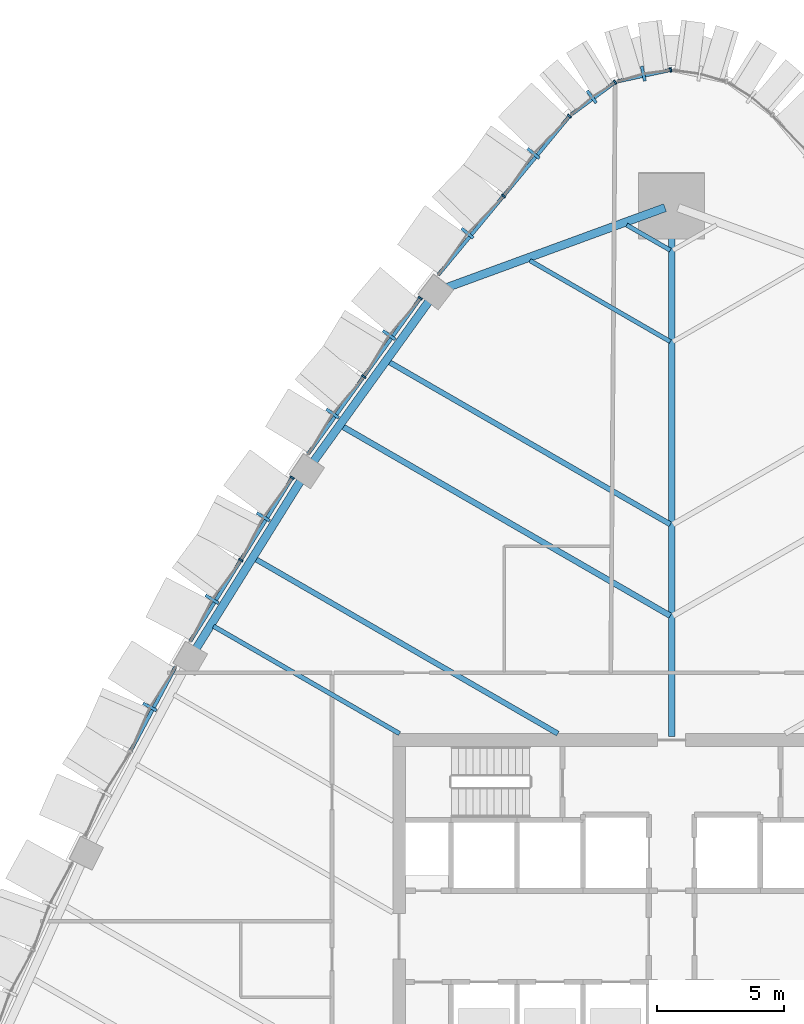
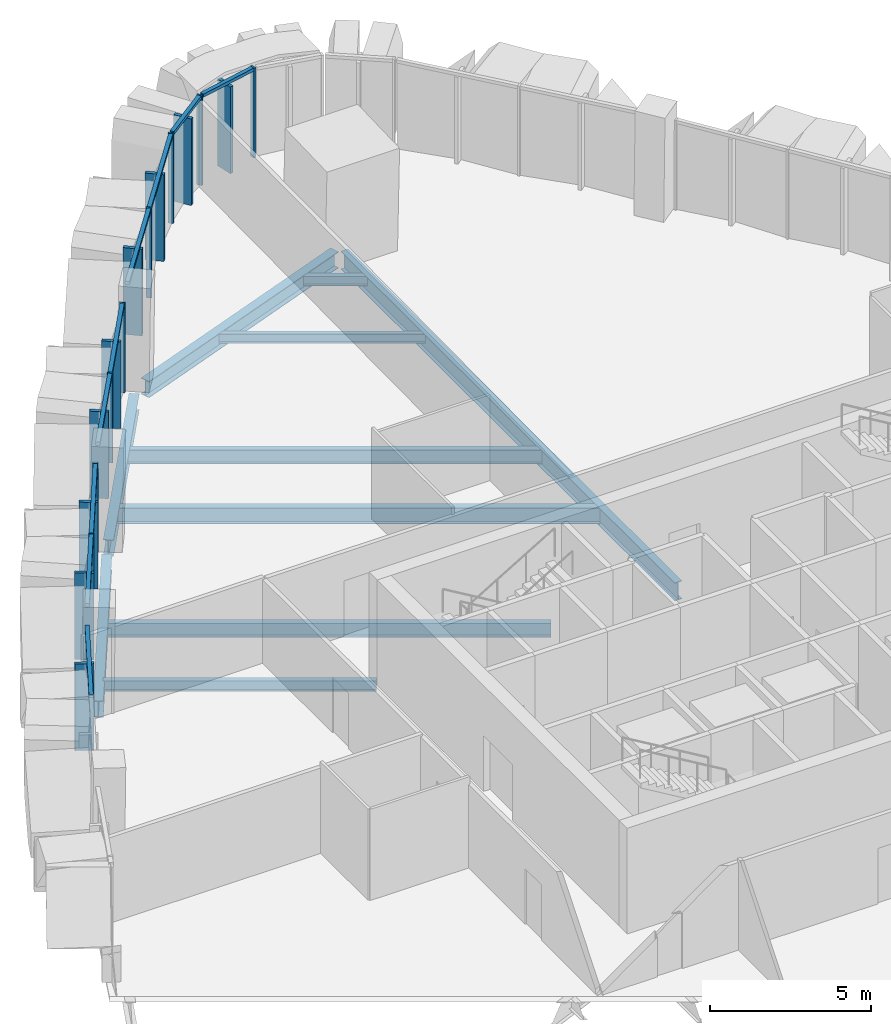
# One storey, part 6 of 18: 26 members, 10 beams, 6 elements without a shape of their own.
"""IFC4 building model written with IfcOpenShell, lengths in metres."""

from ifc_helpers import new_model, si_unit, direction, frame, origin, origin_2d, place, context, subcontext, project, spatial, rectangle, i_section, extrude, material, layer, layer_set, material_profile, profile_set, type_object, element, aggregate, save


model = new_model("IFC4")

# Units and contexts
model_context = context("Model", 3, precision=1e-05, world=origin(), true_north=direction((0.0, 1.0)))
body_context = subcontext(model_context, "Body", "Model", "MODEL_VIEW")
ifc_project = project(units=[si_unit("LENGTHUNIT", "METRE"), si_unit("AREAUNIT", "SQUARE_METRE"), si_unit("VOLUMEUNIT", "CUBIC_METRE"), si_unit("PLANEANGLEUNIT", "RADIAN"), si_unit("MASSUNIT", "GRAM", prefix="KILO")], contexts=[model_context])

# Site, building, storey
site_placement = place(None, origin())
site = spatial("IfcSite", under=ifc_project, at=site_placement, CompositionType="ELEMENT")
building_placement = place(site_placement, origin())
building = spatial("IfcBuilding", under=site, at=building_placement, Name="Sierra Prisma Convention Tower", CompositionType="ELEMENT")
storey_placement = place(building_placement, frame((0.0, 0.0, 129.800048828125)))
storey = spatial("IfcBuildingStorey", under=building, at=storey_placement, Name="L27", CompositionType="ELEMENT", Elevation=129.800048828125)

# Curtain wall, member
ifc_material_1 = material(Name="Aluminium and glass curtain wall", Category="aluminium")
ifc_layer = layer(ifc_material_1, 0.179931640625)
ifc_layer_set = layer_set([ifc_layer], Name="CW-2 Faceted crystal curtain wall")
curtain_wall_type = type_object("IfcCurtainWallType", Name="CW-2 Faceted crystal curtain wall", PredefinedType="NOTDEFINED", material=ifc_layer_set)
curtain_wall_1_placement = place(storey_placement, origin())
curtain_wall_1 = element("IfcCurtainWall", 1, at=curtain_wall_1_placement, inside=storey, type_object=curtain_wall_type, Name="CW-2 N3 L27", PredefinedType="NOTDEFINED")
ifc_material_2 = material(Name="Aluminium 6063-T6 bronze anodised", Category="aluminium")
ifc_material_profile_1 = material_profile(ifc_material_2, rectangle(XDim=0.1201171875, YDim=0.60009765625, at=origin_2d()), Name="ALU RIDGE BLADE 120x600")
ifc_profile_set_1 = profile_set([ifc_material_profile_1], Name="Aluminium 6063-T6 bronze anodised")
member_type_1 = type_object("IfcMemberType", Name="CW hip bronze", PredefinedType="MULLION", material=ifc_profile_set_1)
member_1_placement = place(storey_placement, frame((-1.115966796875, 34.043212890625, 0.0), z_axis=(0.0, 0.0, 1.0), x_axis=(-0.977692765089, -0.210040132101, 0.0)))
member_1 = element("IfcMember", 2, at=member_1_placement, type_object=member_type_1, Name="CW-2 ridge N3.1", PredefinedType="MULLION", context=body_context, shape_type="SweptSolid", body=[
    extrude(rectangle(XDim=0.1201171875, YDim=0.60009765625, at=origin_2d()), origin(), (0.0, 0.0, 1.0), 3.280029296875),
])

curtain_wall_2_placement = place(storey_placement, origin())
curtain_wall_2 = element("IfcCurtainWall", 3, at=curtain_wall_2_placement, inside=storey, type_object=curtain_wall_type, Name="CW-2 N4 L27", PredefinedType="NOTDEFINED")
member_2_placement = place(storey_placement, frame((-3.1513671875, 33.12646484375, 0.0), z_axis=(0.0, 0.0, 1.0), x_axis=(-0.805161837096, -0.593055154336, 0.0)))
member_2 = element("IfcMember", 4, at=member_2_placement, type_object=member_type_1, Name="CW-2 ridge N4.1", PredefinedType="MULLION", context=body_context, shape_type="SweptSolid", body=[
    extrude(rectangle(XDim=0.1201171875, YDim=0.60009765625, at=origin_2d()), origin(), (0.0, 0.0, 1.0), 3.280029296875),
])

# Curtain wall, members
curtain_wall_3_placement = place(storey_placement, origin())
curtain_wall_3 = element("IfcCurtainWall", 5, at=curtain_wall_3_placement, inside=storey, type_object=curtain_wall_type, Name="CW-2 NW1 L27", PredefinedType="NOTDEFINED")
member_3_placement = place(storey_placement, frame((-5.452392578125, 30.892822265625, 0.0), z_axis=(0.0, 0.0, 1.0), x_axis=(-0.637213096953, -0.770687659867, 0.0)))
member_3 = element("IfcMember", 6, at=member_3_placement, type_object=member_type_1, Name="CW-2 ridge NW1.1", PredefinedType="MULLION", context=body_context, shape_type="SweptSolid", body=[
    extrude(rectangle(XDim=0.1201171875, YDim=0.60009765625, at=origin_2d()), origin(), (0.0, 0.0, 1.0), 3.280029296875),
])
member_4_placement = place(storey_placement, frame((-8.0556640625, 27.744384765625, 0.0), z_axis=(0.0, 0.0, 1.0), x_axis=(-0.637213096953, -0.770687659867, 0.0)))
member_4 = element("IfcMember", 7, at=member_4_placement, type_object=member_type_1, Name="CW-2 ridge NW1.2", PredefinedType="MULLION", context=body_context, shape_type="SweptSolid", body=[
    extrude(rectangle(XDim=0.1201171875, YDim=0.60009765625, at=origin_2d()), origin(), (0.0, 0.0, 1.0), 3.280029296875),
])

curtain_wall_4_placement = place(storey_placement, origin())
curtain_wall_4 = element("IfcCurtainWall", 8, at=curtain_wall_4_placement, inside=storey, type_object=curtain_wall_type, Name="CW-2 NW2 L27", PredefinedType="NOTDEFINED")
member_5_placement = place(storey_placement, frame((-11.1484375, 23.7255859375, 0.0), z_axis=(0.0, 0.0, 1.0), x_axis=(-0.584258048296, -0.811567947249, 0.0)))
member_5 = element("IfcMember", 9, at=member_5_placement, type_object=member_type_1, Name="CW-2 ridge NW2.1", PredefinedType="MULLION", context=body_context, shape_type="SweptSolid", body=[
    extrude(rectangle(XDim=0.1201171875, YDim=0.60009765625, at=origin_2d()), origin(), (0.0, 0.0, 1.0), 3.280029296875),
])
member_6_placement = place(storey_placement, frame((-13.3759765625, 20.63134765625, 0.0), z_axis=(0.0, 0.0, 1.0), x_axis=(-0.584258048296, -0.811567947249, 0.0)))
member_6 = element("IfcMember", 10, at=member_6_placement, type_object=member_type_1, Name="CW-2 ridge NW2.2", PredefinedType="MULLION", context=body_context, shape_type="SweptSolid", body=[
    extrude(rectangle(XDim=0.1201171875, YDim=0.60009765625, at=origin_2d()), origin(), (0.0, 0.0, 1.0), 3.280029296875),
])

curtain_wall_5_placement = place(storey_placement, origin())
curtain_wall_5 = element("IfcCurtainWall", 11, at=curtain_wall_5_placement, inside=storey, type_object=curtain_wall_type, Name="CW-2 NW3 L27", PredefinedType="NOTDEFINED")
member_7_placement = place(storey_placement, frame((-16.110107421875, 16.55224609375, 0.0), z_axis=(0.0, 0.0, 1.0), x_axis=(-0.528688190677, -0.848816114974, 0.0)))
member_7 = element("IfcMember", 12, at=member_7_placement, type_object=member_type_1, Name="CW-2 ridge NW3.1", PredefinedType="MULLION", context=body_context, shape_type="SweptSolid", body=[
    extrude(rectangle(XDim=0.1201171875, YDim=0.60009765625, at=origin_2d()), origin(), (0.0, 0.0, 1.0), 3.280029296875),
])
member_8_placement = place(storey_placement, frame((-18.13427734375, 13.30224609375, 0.0), z_axis=(0.0, 0.0, 1.0), x_axis=(-0.528688190677, -0.848816114974, 0.0)))
member_8 = element("IfcMember", 13, at=member_8_placement, type_object=member_type_1, Name="CW-2 ridge NW3.2", PredefinedType="MULLION", context=body_context, shape_type="SweptSolid", body=[
    extrude(rectangle(XDim=0.1201171875, YDim=0.60009765625, at=origin_2d()), origin(), (0.0, 0.0, 1.0), 3.280029296875),
])

# Curtain wall, member
curtain_wall_6_placement = place(storey_placement, origin())
curtain_wall_6 = element("IfcCurtainWall", 14, at=curtain_wall_6_placement, inside=storey, type_object=curtain_wall_type, Name="CW-2 NW4 L27", PredefinedType="NOTDEFINED")
member_9_placement = place(storey_placement, frame((-20.587158203125, 9.0537109375, 0.0), z_axis=(0.0, 0.0, 1.0), x_axis=(-0.47075222337, -0.882265461294, 0.0)))
member_9 = element("IfcMember", 15, at=member_9_placement, type_object=member_type_1, Name="CW-2 ridge NW4.1", PredefinedType="MULLION", context=body_context, shape_type="SweptSolid", body=[
    extrude(rectangle(XDim=0.1201171875, YDim=0.60009765625, at=origin_2d()), origin(), (0.0, 0.0, 1.0), 3.280029296875),
])

# Member
ifc_material_3 = material(Name="Aluminium 6063-T6 bronze anodised", Category="aluminium")
ifc_material_profile_2 = material_profile(ifc_material_3, rectangle(XDim=0.179931640625, YDim=0.070068359375, at=origin_2d()), Name="ALU MULLION 70x180")
ifc_profile_set_2 = profile_set([ifc_material_profile_2], Name="Aluminium 6063-T6 bronze anodised")
member_type_2 = type_object("IfcMemberType", Name="CW mullion bronze", PredefinedType="MULLION", material=ifc_profile_set_2)
member_10_placement = place(storey_placement, frame((-0.0341796875, 34.190673828125, 0.0), z_axis=(0.0, 0.0, 1.0), x_axis=(0.210040132101, -0.977692765089, 0.0)))
member_10 = element("IfcMember", 16, at=member_10_placement, type_object=member_type_2, Name="CW-1 mullion N3.1", PredefinedType="MULLION", context=body_context, shape_type="SweptSolid", body=[
    extrude(rectangle(XDim=0.179931640625, YDim=0.070068359375, at=origin_2d()), origin(), (0.0, 0.0, 1.0), 3.39990234375),
])

member_11_placement = place(storey_placement, frame((-2.2255859375, 33.705322265625, 0.0), z_axis=(0.0, 0.0, 1.0), x_axis=(0.593055154336, -0.805161837096, 0.0)))
member_11 = element("IfcMember", 17, at=member_11_placement, type_object=member_type_2, Name="CW-1 mullion N4.1", PredefinedType="MULLION", context=body_context, shape_type="SweptSolid", body=[
    extrude(rectangle(XDim=0.179931640625, YDim=0.070068359375, at=origin_2d()), origin(), (0.0, 0.0, 1.0), 3.39990234375),
])

member_12_placement = place(storey_placement, frame((-4.029052734375, 32.3662109375, 0.0), z_axis=(0.0, 0.0, 1.0), x_axis=(0.770687659867, -0.637213096953, 0.0)))
member_12 = element("IfcMember", 18, at=member_12_placement, type_object=member_type_2, Name="CW-1 mullion NW1.1", PredefinedType="MULLION", context=body_context, shape_type="SweptSolid", body=[
    extrude(rectangle(XDim=0.179931640625, YDim=0.070068359375, at=origin_2d()), origin(), (0.0, 0.0, 1.0), 3.39990234375),
])

member_13_placement = place(storey_placement, frame((-6.63232421875, 29.2177734375, 0.0), z_axis=(0.0, 0.0, 1.0), x_axis=(0.770687659867, -0.637213096953, 0.0)))
member_13 = element("IfcMember", 19, at=member_13_placement, type_object=member_type_2, Name="CW-1 mullion NW1.2", PredefinedType="MULLION", context=body_context, shape_type="SweptSolid", body=[
    extrude(rectangle(XDim=0.179931640625, YDim=0.070068359375, at=origin_2d()), origin(), (0.0, 0.0, 1.0), 3.39990234375),
])

member_14_placement = place(storey_placement, frame((-9.9150390625, 25.1865234375, 0.0), z_axis=(0.0, 0.0, 1.0), x_axis=(0.811567947249, -0.584258048296, 0.0)))
member_14 = element("IfcMember", 20, at=member_14_placement, type_object=member_type_2, Name="CW-1 mullion NW2.1", PredefinedType="MULLION", context=body_context, shape_type="SweptSolid", body=[
    extrude(rectangle(XDim=0.179931640625, YDim=0.070068359375, at=origin_2d()), origin(), (0.0, 0.0, 1.0), 3.39990234375),
])

member_15_placement = place(storey_placement, frame((-12.142578125, 22.09228515625, 0.0), z_axis=(0.0, 0.0, 1.0), x_axis=(0.811567947249, -0.584258048296, 0.0)))
member_15 = element("IfcMember", 21, at=member_15_placement, type_object=member_type_2, Name="CW-1 mullion NW2.2", PredefinedType="MULLION", context=body_context, shape_type="SweptSolid", body=[
    extrude(rectangle(XDim=0.179931640625, YDim=0.070068359375, at=origin_2d()), origin(), (0.0, 0.0, 1.0), 3.39990234375),
])

member_16_placement = place(storey_placement, frame((-14.972412109375, 18.098876953125, 0.0), z_axis=(0.0, 0.0, 1.0), x_axis=(0.848816114974, -0.528688190677, 0.0)))
member_16 = element("IfcMember", 22, at=member_16_placement, type_object=member_type_2, Name="CW-1 mullion NW3.1", PredefinedType="MULLION", context=body_context, shape_type="SweptSolid", body=[
    extrude(rectangle(XDim=0.179931640625, YDim=0.070068359375, at=origin_2d()), origin(), (0.0, 0.0, 1.0), 3.39990234375),
])

member_17_placement = place(storey_placement, frame((-16.99658203125, 14.84912109375, 0.0), z_axis=(0.0, 0.0, 1.0), x_axis=(0.848816114974, -0.528688190677, 0.0)))
member_17 = element("IfcMember", 23, at=member_17_placement, type_object=member_type_2, Name="CW-1 mullion NW3.2", PredefinedType="MULLION", context=body_context, shape_type="SweptSolid", body=[
    extrude(rectangle(XDim=0.179931640625, YDim=0.070068359375, at=origin_2d()), origin(), (0.0, 0.0, 1.0), 3.39990234375),
])

ifc_material_4 = material(Name="Aluminium 6063-T6 bronze anodised", Category="aluminium")
ifc_material_profile_3 = material_profile(ifc_material_4, rectangle(XDim=0.139892578125, YDim=0.1201171875, at=origin_2d()), Name="ALU TRANSOM 120x140")
ifc_profile_set_3 = profile_set([ifc_material_profile_3], Name="Aluminium 6063-T6 bronze anodised")
member_type_3 = type_object("IfcMemberType", Name="CW transom bronze", PredefinedType="USERDEFINED", material=ifc_profile_set_3)
member_18_placement = place(storey_placement, frame((-0.068359375, 34.183349609375, 3.33984375), z_axis=(-0.977697186632, -0.210019549688, 0.0), x_axis=(0.210019549688, -0.977697186632, 0.0)))
member_18 = element("IfcMember", 24, at=member_18_placement, type_object=member_type_3, Name="CW-1 transom N3.1", ObjectType="TRANSOM", PredefinedType="USERDEFINED", context=body_context, shape_type="SweptSolid", body=[
    extrude(rectangle(XDim=0.139892578125, YDim=0.1201171875, at=origin_2d()), origin(), (0.0, 0.0, 1.0), 2.107666015625),
])

aggregate(curtain_wall_1, [member_10, member_18, member_1])

member_19_placement = place(storey_placement, frame((-2.253662109375, 33.6845703125, 3.33984375), z_axis=(-0.805169386396, -0.593044904886, 0.0), x_axis=(0.593044904886, -0.805169386396, 0.0)))
member_19 = element("IfcMember", 25, at=member_19_placement, type_object=member_type_3, Name="CW-1 transom N4.1", ObjectType="TRANSOM", PredefinedType="USERDEFINED", context=body_context, shape_type="SweptSolid", body=[
    extrude(rectangle(XDim=0.139892578125, YDim=0.1201171875, at=origin_2d()), origin(), (0.0, 0.0, 1.0), 2.107421875),
])

aggregate(curtain_wall_2, [member_11, member_19, member_2])

member_20_placement = place(storey_placement, frame((-4.051513671875, 32.33935546875, 3.33984375), z_axis=(-0.637183103897, -0.770712457476, 0.0), x_axis=(0.770712457476, -0.637183103897, 0.0)))
member_20 = element("IfcMember", 26, at=member_20_placement, type_object=member_type_3, Name="CW-1 transom NW1.1", ObjectType="TRANSOM", PredefinedType="USERDEFINED", context=body_context, shape_type="SweptSolid", body=[
    extrude(rectangle(XDim=0.139892578125, YDim=0.1201171875, at=origin_2d()), origin(), (0.0, 0.0, 1.0), 4.01513671875),
])

member_21_placement = place(storey_placement, frame((-6.654541015625, 29.19091796875, 3.33984375), z_axis=(-0.637219220253, -0.770682597014, 0.0), x_axis=(0.770682597014, -0.637219220253, 0.0)))
member_21 = element("IfcMember", 27, at=member_21_placement, type_object=member_type_3, Name="CW-1 transom NW1.2", ObjectType="TRANSOM", PredefinedType="USERDEFINED", context=body_context, shape_type="SweptSolid", body=[
    extrude(rectangle(XDim=0.139892578125, YDim=0.1201171875, at=origin_2d()), origin(), (0.0, 0.0, 1.0), 4.01513671875),
])

aggregate(curtain_wall_3, [member_12, member_13, member_20, member_3, member_21, member_4])

member_22_placement = place(storey_placement, frame((-9.935546875, 25.158203125, 3.33984375), z_axis=(-0.58425145581, -0.811572693222, 0.0), x_axis=(0.811572693222, -0.58425145581, 0.0)))
member_22 = element("IfcMember", 28, at=member_22_placement, type_object=member_type_3, Name="CW-1 transom NW2.1", ObjectType="TRANSOM", PredefinedType="USERDEFINED", context=body_context, shape_type="SweptSolid", body=[
    extrude(rectangle(XDim=0.139892578125, YDim=0.1201171875, at=origin_2d()), origin(), (0.0, 0.0, 1.0), 3.742919921875),
])

member_23_placement = place(storey_placement, frame((-12.1630859375, 22.06396484375, 3.33984375), z_axis=(-0.58425145581, -0.811572693222, 0.0), x_axis=(0.811572693222, -0.58425145581, 0.0)))
member_23 = element("IfcMember", 29, at=member_23_placement, type_object=member_type_3, Name="CW-1 transom NW2.2", ObjectType="TRANSOM", PredefinedType="USERDEFINED", context=body_context, shape_type="SweptSolid", body=[
    extrude(rectangle(XDim=0.139892578125, YDim=0.1201171875, at=origin_2d()), origin(), (0.0, 0.0, 1.0), 3.742919921875),
])

aggregate(curtain_wall_4, [member_14, member_15, member_22, member_5, member_23, member_6])

member_24_placement = place(storey_placement, frame((-14.990966796875, 18.0693359375, 3.33984375), z_axis=(-0.528637931519, -0.848847417007, 0.0), x_axis=(0.848847417007, -0.528637931519, 0.0)))
member_24 = element("IfcMember", 30, at=member_24_placement, type_object=member_type_3, Name="CW-1 transom NW3.1", ObjectType="TRANSOM", PredefinedType="USERDEFINED", context=body_context, shape_type="SweptSolid", body=[
    extrude(rectangle(XDim=0.139892578125, YDim=0.1201171875, at=origin_2d()), origin(), (0.0, 0.0, 1.0), 3.7587890625),
])

member_25_placement = place(storey_placement, frame((-17.01513671875, 14.8193359375, 3.33984375), z_axis=(-0.528713876805, -0.848800115736, 0.0), x_axis=(0.848800115736, -0.528713876805, 0.0)))
member_25 = element("IfcMember", 31, at=member_25_placement, type_object=member_type_3, Name="CW-1 transom NW3.2", ObjectType="TRANSOM", PredefinedType="USERDEFINED", context=body_context, shape_type="SweptSolid", body=[
    extrude(rectangle(XDim=0.139892578125, YDim=0.1201171875, at=origin_2d()), origin(), (0.0, 0.0, 1.0), 3.7587890625),
])

aggregate(curtain_wall_5, [member_16, member_17, member_24, member_7, member_25, member_8])

member_26_placement = place(storey_placement, frame((-19.572021484375, 10.64208984375, 3.33984375), z_axis=(-0.470777014315, -0.88225223309, 0.0), x_axis=(0.88225223309, -0.470777014315, 0.0)))
member_26 = element("IfcMember", 32, at=member_26_placement, type_object=member_type_3, Name="CW-1 transom NW4.1", ObjectType="TRANSOM", PredefinedType="USERDEFINED", context=body_context, shape_type="SweptSolid", body=[
    extrude(rectangle(XDim=0.139892578125, YDim=0.1201171875, at=origin_2d()), origin(), (0.0, 0.0, 1.0), 3.7587890625),
])

aggregate(curtain_wall_6, [member_26, member_9])

# Beams
ifc_material_5 = material(Name="Steel ASTM A992 Gr 50", Category="steel")
ifc_material_profile_4 = material_profile(ifc_material_5, i_section(OverallWidth=0.172119140625, OverallDepth=0.35791015625, WebThickness=0.0078125, FlangeThickness=0.01318359375, at=origin_2d()), Name="W360x57")
ifc_profile_set_4 = profile_set([ifc_material_profile_4], Name="Steel ASTM A992 Gr 50")
beam_type_1 = type_object("IfcBeamType", Name="Floor joist W360x57", PredefinedType="JOIST", material=ifc_profile_set_4)
beam_1_placement = place(storey_placement, frame((-1.77099609375, 28.067626953125, -0.3291015625), z_axis=(0.866025935826, -0.499999078476, 0.0), x_axis=(0.499999078476, 0.866025935826, 0.0)))
element("IfcBeam", 33, at=beam_1_placement, inside=storey, type_object=beam_type_1, Name="Floor joist L27 NW01", PredefinedType="JOIST", context=body_context, shape_type="SweptSolid", body=[
    extrude(i_section(OverallWidth=0.172119140625, OverallDepth=0.35791015625, WebThickness=0.0078125, FlangeThickness=0.01318359375, at=origin_2d()), origin(), (0.0, 0.0, 1.0), 1.986328125),
])
beam_2_placement = place(storey_placement, frame((-5.5927734375, 26.668212890625, -0.3291015625), z_axis=(0.866022944154, -0.50000426018, 0.0), x_axis=(0.50000426018, 0.866022944154, 0.0)))
element("IfcBeam", 34, at=beam_2_placement, inside=storey, type_object=beam_type_1, Name="Floor joist L27 NW02", PredefinedType="JOIST", context=body_context, shape_type="SweptSolid", body=[
    extrude(i_section(OverallWidth=0.172119140625, OverallDepth=0.35791015625, WebThickness=0.0078125, FlangeThickness=0.01318359375, at=origin_2d()), origin(), (0.0, 0.0, 1.0), 6.3994140625),
])
ifc_material_6 = material(Name="Steel ASTM A992 Gr 50", Category="steel")
ifc_material_profile_5 = material_profile(ifc_material_6, i_section(OverallWidth=0.177978515625, OverallDepth=0.406982421875, WebThickness=0.0078125, FlangeThickness=0.0126953125, at=origin_2d()), Name="W410x60")
ifc_profile_set_5 = profile_set([ifc_material_profile_5], Name="Steel ASTM A992 Gr 50")
beam_type_2 = type_object("IfcBeamType", Name="Floor joist W410x60", PredefinedType="JOIST", material=ifc_profile_set_5)
beam_3_placement = place(storey_placement, frame((-18.0771484375, 12.23974609375, -0.353515625), z_axis=(0.866034081815, -0.499984968909, 0.0), x_axis=(0.499984968909, 0.866034081815, 0.0)))
element("IfcBeam", 35, at=beam_3_placement, inside=storey, type_object=beam_type_2, Name="Floor joist L27 NW08", PredefinedType="JOIST", context=body_context, shape_type="SweptSolid", body=[
    extrude(i_section(OverallWidth=0.177978515625, OverallDepth=0.406982421875, WebThickness=0.0078125, FlangeThickness=0.0126953125, at=origin_2d()), origin(), (0.0, 0.0, 1.0), 8.479736328125),
])
ifc_material_7 = material(Name="Steel ASTM A992 Gr 50", Category="steel")
ifc_material_profile_6 = material_profile(ifc_material_7, i_section(OverallWidth=0.208984375, OverallDepth=0.532958984375, WebThickness=0.01025390625, FlangeThickness=0.015625, at=origin_2d()), Name="W530x92")
ifc_profile_set_6 = profile_set([ifc_material_profile_6], Name="Steel ASTM A992 Gr 50")
beam_type_3 = type_object("IfcBeamType", Name="Floor joist W530x92", PredefinedType="JOIST", material=ifc_profile_set_6)
beam_4_placement = place(storey_placement, frame((-11.15771484375, 22.6689453125, -0.41650390625), z_axis=(0.866025182435, -0.500000383388, 0.0), x_axis=(0.500000383388, 0.866025182435, 0.0)))
element("IfcBeam", 36, at=beam_4_placement, inside=storey, type_object=beam_type_3, Name="Floor joist L27 NW04", PredefinedType="JOIST", context=body_context, shape_type="SweptSolid", body=[
    extrude(i_section(OverallWidth=0.208984375, OverallDepth=0.532958984375, WebThickness=0.01025390625, FlangeThickness=0.015625, at=origin_2d()), origin(), (0.0, 0.0, 1.0), 12.8251953125),
])
beam_5_placement = place(storey_placement, frame((-16.425048828125, 14.89208984375, -0.41650390625), z_axis=(0.866021886639, -0.500006091826, 0.0), x_axis=(0.500006091826, 0.866021886639, 0.0)))
element("IfcBeam", 37, at=beam_5_placement, inside=storey, type_object=beam_type_3, Name="Floor joist L27 NW07", PredefinedType="JOIST", context=body_context, shape_type="SweptSolid", body=[
    extrude(i_section(OverallWidth=0.208984375, OverallDepth=0.532958984375, WebThickness=0.01025390625, FlangeThickness=0.015625, at=origin_2d()), origin(), (0.0, 0.0, 1.0), 13.783935546875),
])
ifc_material_8 = material(Name="Steel ASTM A992 Gr 50", Category="steel")
ifc_material_profile_7 = material_profile(ifc_material_8, i_section(OverallWidth=0.22802734375, OverallDepth=0.60302734375, WebThickness=0.010498046875, FlangeThickness=0.014892578125, at=origin_2d()), Name="W610x101")
ifc_profile_set_7 = profile_set([ifc_material_profile_7], Name="Steel ASTM A992 Gr 50")
beam_type_4 = type_object("IfcBeamType", Name="Floor joist W610x101", PredefinedType="JOIST", material=ifc_profile_set_7)
beam_6_placement = place(storey_placement, frame((-12.991455078125, 20.12158203125, -0.45166015625), z_axis=(0.866028594645, -0.499994473226, 0.0), x_axis=(0.499994473226, 0.866028594645, 0.0)))
element("IfcBeam", 38, at=beam_6_placement, inside=storey, type_object=beam_type_4, Name="Floor joist L27 NW05", PredefinedType="JOIST", context=body_context, shape_type="SweptSolid", body=[
    extrude(i_section(OverallWidth=0.22802734375, OverallDepth=0.60302734375, WebThickness=0.010498046875, FlangeThickness=0.014892578125, at=origin_2d()), origin(), (0.0, 0.0, 1.0), 14.942626953125),
])
ifc_material_9 = material(Name="Steel ASTM A992 Gr 50", Category="steel")
ifc_material_profile_8 = material_profile(ifc_material_9, i_section(OverallWidth=0.25390625, OverallDepth=0.68408203125, WebThickness=0.012451171875, FlangeThickness=0.018798828125, at=origin_2d()), Name="W690x140")
ifc_profile_set_8 = profile_set([ifc_material_profile_8], Name="Steel ASTM A992 Gr 50")
beam_type_5 = type_object("IfcBeamType", Name="Radial girder W690x140", PredefinedType="BEAM", material=ifc_profile_set_8)
beam_7_placement = place(storey_placement, frame((0.0, 28.588134765625, -0.491943359375), z_axis=(0.0, -1.0, 0.0), x_axis=(1.0, 0.0, 0.0)))
element("IfcBeam", 39, at=beam_7_placement, inside=storey, type_object=beam_type_5, Name="Radial girder L27 N", PredefinedType="BEAM", context=body_context, shape_type="SweptSolid", body=[
    extrude(i_section(OverallWidth=0.25390625, OverallDepth=0.68408203125, WebThickness=0.012451171875, FlangeThickness=0.018798828125, at=origin_2d()), origin(), (0.0, 0.0, 1.0), 20.708251953125),
])
ifc_material_10 = material(Name="Steel ASTM A992 Gr 50", Category="steel")
ifc_material_profile_9 = material_profile(ifc_material_10, i_section(OverallWidth=0.324951171875, OverallDepth=0.615966796875, WebThickness=0.013916015625, FlangeThickness=0.021484375, at=origin_2d()), Name="W610x174")
ifc_profile_set_9 = profile_set([ifc_material_profile_9], Name="Steel ASTM A992 Gr 50")
beam_type_6 = type_object("IfcBeamType", Name="Spandrel beam W610x174", PredefinedType="BEAM", material=ifc_profile_set_9)
beam_8_placement = place(storey_placement, frame((-0.260009765625, 28.7529296875, -0.4580078125), z_axis=(-0.939035096496, -0.343821301767, 0.0), x_axis=(0.343821301767, -0.939035096496, 0.0)))
element("IfcBeam", 40, at=beam_8_placement, inside=storey, type_object=beam_type_6, Name="Spandrel L27-13", PredefinedType="BEAM", context=body_context, shape_type="SweptSolid", body=[
    extrude(i_section(OverallWidth=0.324951171875, OverallDepth=0.615966796875, WebThickness=0.013916015625, FlangeThickness=0.021484375, at=origin_2d()), origin(), (0.0, 0.0, 1.0), 9.155029296875),
])
for number, where, z_axis, x_axis, name in (
    (41, (-9.521484375, 25.134765625, -0.4580078125), (-0.584252989263, -0.811571589287, 0.0), (0.811571589287, -0.584252989263, 0.0), "Spandrel L27-14"),
    (42, (-14.59326171875, 18.046142578125, -0.4580078125), (-0.528679858809, -0.848821304451, 0.0), (0.848821304451, -0.528679858809, 0.0), "Spandrel L27-15"),
):
    element("IfcBeam", number, at=place(storey_placement, frame(where, z_axis=z_axis, x_axis=x_axis)), inside=storey, type_object=beam_type_6, Name=name, PredefinedType="BEAM", context=body_context, shape_type="SweptSolid", body=[
        extrude(i_section(OverallWidth=0.324951171875, OverallDepth=0.615966796875, WebThickness=0.013916015625, FlangeThickness=0.021484375, at=origin_2d()), origin(), (0.0, 0.0, 1.0), 7.956298828125),
    ])

save(model, "model.ifc")
